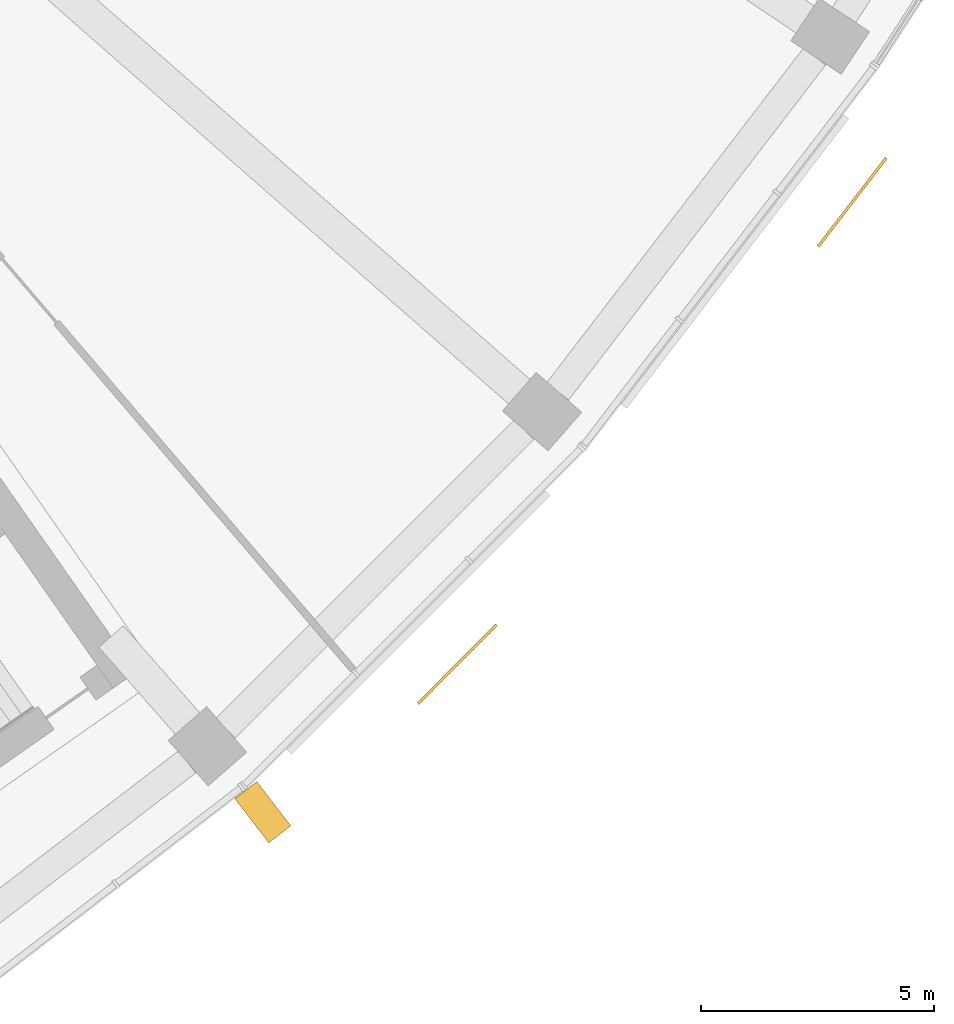
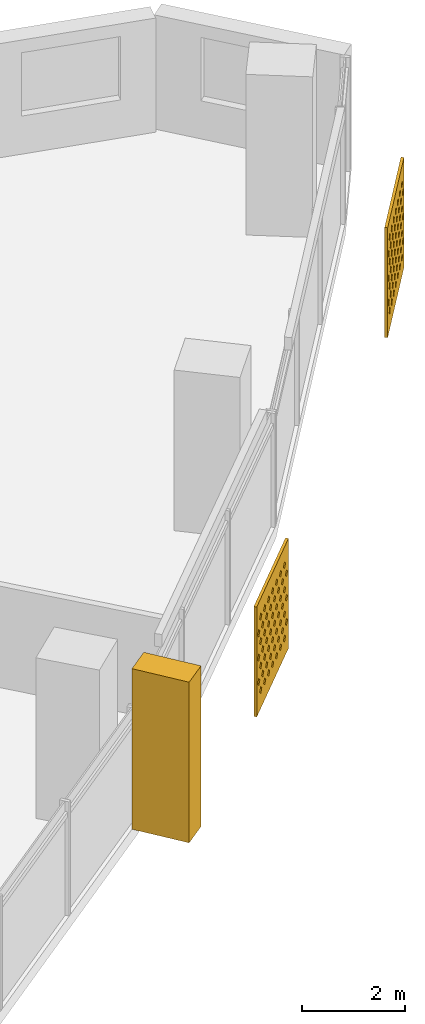
# One storey, part 26 of 26: 3 shading devices.
"""IFC4 building model written with IfcOpenShell, lengths in metres."""

from ifc_helpers import new_model, si_unit, direction, frame, origin, place, context, subcontext, project, spatial, polyline, outline, extrude, material, material_profile, profile_set, type_object, element, save


model = new_model("IFC4")

# Units and contexts
model_context = context("Model", 3, precision=1e-05, world=origin(), true_north=direction((0.0, 1.0)))
body_context = subcontext(model_context, "Body", "Model", "MODEL_VIEW")
ifc_project = project(units=[si_unit("LENGTHUNIT", "METRE"), si_unit("AREAUNIT", "SQUARE_METRE"), si_unit("VOLUMEUNIT", "CUBIC_METRE"), si_unit("PLANEANGLEUNIT", "RADIAN"), si_unit("MASSUNIT", "GRAM", prefix="KILO")], contexts=[model_context])

# Site, building, storey
site_placement = place(None, origin())
site = spatial("IfcSite", under=ifc_project, at=site_placement, CompositionType="ELEMENT")
building_placement = place(site_placement, origin())
building = spatial("IfcBuilding", under=site, at=building_placement, Name="Qamariyya Broadcast Tower", CompositionType="ELEMENT")
storey_placement = place(building_placement, frame((0.0, 0.0, 160.699951171875)))
storey = spatial("IfcBuildingStorey", under=building, at=storey_placement, Name="L37", CompositionType="ELEMENT", Elevation=160.699951171875)

# Shading devices
ifc_material_1 = material(Name="Steel S355 powder coated deep red", Category="steel")
shading_device_type_1 = type_object("IfcShadingDeviceType", Name="Deep red frame, powder coated steel box section", PredefinedType="USERDEFINED", material=ifc_material_1)
shading_device_1_placement = place(storey_placement, origin())
element("IfcShadingDevice", 1, at=shading_device_1_placement, inside=storey, type_object=shading_device_type_1, Name="e-frm-B3-F4-postb-L37", ObjectType="FRAME", PredefinedType="USERDEFINED", context=body_context, shape_type="SweptSolid", body=[
    extrude(outline(polyline([(51.850341796875, -59.577880859375), (52.580810546875, -60.530029296875), (53.056884765625, -60.164794921875), (52.326416015625, -59.212646484375), (51.850341796875, -59.577880859375)])), origin(), (0.0, 0.0, 1.0), 3.800048828125),
])
ifc_material_2 = material(Name="Perforated glazed terracotta", Category="masonry")
ifc_material_profile = material_profile(ifc_material_2, outline(polyline([(-1.199951171875, -1.300048828125), (1.199951171875, -1.300048828125), (1.199951171875, 1.300048828125), (-1.199951171875, 1.300048828125), (-1.199951171875, -1.300048828125)]), holes=[polyline([(-0.81494140625, -0.86669921875), (-0.89990234375, -0.78173828125), (-0.985107421875, -0.86669921875), (-0.89990234375, -0.95166015625), (-0.81494140625, -0.86669921875)]), polyline([(-0.514892578125, -0.86669921875), (-0.60009765625, -0.78173828125), (-0.68505859375, -0.86669921875), (-0.60009765625, -0.95166015625), (-0.514892578125, -0.86669921875)]), polyline([(-0.215087890625, -0.86669921875), (-0.300048828125, -0.78173828125), (-0.385009765625, -0.86669921875), (-0.300048828125, -0.95166015625), (-0.215087890625, -0.86669921875)]), polyline([(0.0849609375, -0.86669921875), (0.0, -0.78173828125), (-0.0849609375, -0.86669921875), (0.0, -0.95166015625), (0.0849609375, -0.86669921875)]), polyline([(0.385009765625, -0.86669921875), (0.300048828125, -0.78173828125), (0.215087890625, -0.86669921875), (0.300048828125, -0.95166015625), (0.385009765625, -0.86669921875)]), polyline([(0.68505859375, -0.86669921875), (0.60009765625, -0.78173828125), (0.514892578125, -0.86669921875), (0.60009765625, -0.95166015625), (0.68505859375, -0.86669921875)]), polyline([(0.985107421875, -0.86669921875), (0.89990234375, -0.78173828125), (0.81494140625, -0.86669921875), (0.89990234375, -0.95166015625), (0.985107421875, -0.86669921875)]), polyline([(-0.965087890625, -0.577880859375), (-1.050048828125, -0.49267578125), (-1.135009765625, -0.577880859375), (-1.050048828125, -0.662841796875), (-0.965087890625, -0.577880859375)]), polyline([(-0.6650390625, -0.577880859375), (-0.75, -0.49267578125), (-0.8349609375, -0.577880859375), (-0.75, -0.662841796875), (-0.6650390625, -0.577880859375)]), polyline([(-0.364990234375, -0.577880859375), (-0.449951171875, -0.49267578125), (-0.534912109375, -0.577880859375), (-0.449951171875, -0.662841796875), (-0.364990234375, -0.577880859375)]), polyline([(-0.06494140625, -0.577880859375), (-0.14990234375, -0.49267578125), (-0.235107421875, -0.577880859375), (-0.14990234375, -0.662841796875), (-0.06494140625, -0.577880859375)]), polyline([(0.235107421875, -0.577880859375), (0.14990234375, -0.49267578125), (0.06494140625, -0.577880859375), (0.14990234375, -0.662841796875), (0.235107421875, -0.577880859375)]), polyline([(0.534912109375, -0.577880859375), (0.449951171875, -0.49267578125), (0.364990234375, -0.577880859375), (0.449951171875, -0.662841796875), (0.534912109375, -0.577880859375)]), polyline([(0.8349609375, -0.577880859375), (0.75, -0.49267578125), (0.6650390625, -0.577880859375), (0.75, -0.662841796875), (0.8349609375, -0.577880859375)]), polyline([(1.135009765625, -0.577880859375), (1.050048828125, -0.49267578125), (0.965087890625, -0.577880859375), (1.050048828125, -0.662841796875), (1.135009765625, -0.577880859375)]), polyline([(-0.81494140625, -0.288818359375), (-0.89990234375, -0.203857421875), (-0.985107421875, -0.288818359375), (-0.89990234375, -0.373779296875), (-0.81494140625, -0.288818359375)]), polyline([(-0.514892578125, -0.288818359375), (-0.60009765625, -0.203857421875), (-0.68505859375, -0.288818359375), (-0.60009765625, -0.373779296875), (-0.514892578125, -0.288818359375)]), polyline([(-0.215087890625, -0.288818359375), (-0.300048828125, -0.203857421875), (-0.385009765625, -0.288818359375), (-0.300048828125, -0.373779296875), (-0.215087890625, -0.288818359375)]), polyline([(0.0849609375, -0.288818359375), (0.0, -0.203857421875), (-0.0849609375, -0.288818359375), (0.0, -0.373779296875), (0.0849609375, -0.288818359375)]), polyline([(0.385009765625, -0.288818359375), (0.300048828125, -0.203857421875), (0.215087890625, -0.288818359375), (0.300048828125, -0.373779296875), (0.385009765625, -0.288818359375)]), polyline([(0.68505859375, -0.288818359375), (0.60009765625, -0.203857421875), (0.514892578125, -0.288818359375), (0.60009765625, -0.373779296875), (0.68505859375, -0.288818359375)]), polyline([(0.985107421875, -0.288818359375), (0.89990234375, -0.203857421875), (0.81494140625, -0.288818359375), (0.89990234375, -0.373779296875), (0.985107421875, -0.288818359375)]), polyline([(-0.965087890625, 0.0), (-1.050048828125, 0.0849609375), (-1.135009765625, 0.0), (-1.050048828125, -0.0849609375), (-0.965087890625, 0.0)]), polyline([(-0.6650390625, 0.0), (-0.75, 0.0849609375), (-0.8349609375, 0.0), (-0.75, -0.0849609375), (-0.6650390625, 0.0)]), polyline([(-0.364990234375, 0.0), (-0.449951171875, 0.0849609375), (-0.534912109375, 0.0), (-0.449951171875, -0.0849609375), (-0.364990234375, 0.0)]), polyline([(-0.06494140625, 0.0), (-0.14990234375, 0.0849609375), (-0.235107421875, 0.0), (-0.14990234375, -0.0849609375), (-0.06494140625, 0.0)]), polyline([(0.235107421875, 0.0), (0.14990234375, 0.0849609375), (0.06494140625, 0.0), (0.14990234375, -0.0849609375), (0.235107421875, 0.0)]), polyline([(0.534912109375, 0.0), (0.449951171875, 0.0849609375), (0.364990234375, 0.0), (0.449951171875, -0.0849609375), (0.534912109375, 0.0)]), polyline([(0.8349609375, 0.0), (0.75, 0.0849609375), (0.6650390625, 0.0), (0.75, -0.0849609375), (0.8349609375, 0.0)]), polyline([(1.135009765625, 0.0), (1.050048828125, 0.0849609375), (0.965087890625, 0.0), (1.050048828125, -0.0849609375), (1.135009765625, 0.0)]), polyline([(-0.81494140625, 0.288818359375), (-0.89990234375, 0.373779296875), (-0.985107421875, 0.288818359375), (-0.89990234375, 0.203857421875), (-0.81494140625, 0.288818359375)]), polyline([(-0.514892578125, 0.288818359375), (-0.60009765625, 0.373779296875), (-0.68505859375, 0.288818359375), (-0.60009765625, 0.203857421875), (-0.514892578125, 0.288818359375)]), polyline([(-0.215087890625, 0.288818359375), (-0.300048828125, 0.373779296875), (-0.385009765625, 0.288818359375), (-0.300048828125, 0.203857421875), (-0.215087890625, 0.288818359375)]), polyline([(0.0849609375, 0.288818359375), (0.0, 0.373779296875), (-0.0849609375, 0.288818359375), (0.0, 0.203857421875), (0.0849609375, 0.288818359375)]), polyline([(0.385009765625, 0.288818359375), (0.300048828125, 0.373779296875), (0.215087890625, 0.288818359375), (0.300048828125, 0.203857421875), (0.385009765625, 0.288818359375)]), polyline([(0.68505859375, 0.288818359375), (0.60009765625, 0.373779296875), (0.514892578125, 0.288818359375), (0.60009765625, 0.203857421875), (0.68505859375, 0.288818359375)]), polyline([(0.985107421875, 0.288818359375), (0.89990234375, 0.373779296875), (0.81494140625, 0.288818359375), (0.89990234375, 0.203857421875), (0.985107421875, 0.288818359375)]), polyline([(-0.965087890625, 0.577880859375), (-1.050048828125, 0.662841796875), (-1.135009765625, 0.577880859375), (-1.050048828125, 0.49267578125), (-0.965087890625, 0.577880859375)]), polyline([(-0.6650390625, 0.577880859375), (-0.75, 0.662841796875), (-0.8349609375, 0.577880859375), (-0.75, 0.49267578125), (-0.6650390625, 0.577880859375)]), polyline([(-0.364990234375, 0.577880859375), (-0.449951171875, 0.662841796875), (-0.534912109375, 0.577880859375), (-0.449951171875, 0.49267578125), (-0.364990234375, 0.577880859375)]), polyline([(-0.06494140625, 0.577880859375), (-0.14990234375, 0.662841796875), (-0.235107421875, 0.577880859375), (-0.14990234375, 0.49267578125), (-0.06494140625, 0.577880859375)]), polyline([(0.235107421875, 0.577880859375), (0.14990234375, 0.662841796875), (0.06494140625, 0.577880859375), (0.14990234375, 0.49267578125), (0.235107421875, 0.577880859375)]), polyline([(0.534912109375, 0.577880859375), (0.449951171875, 0.662841796875), (0.364990234375, 0.577880859375), (0.449951171875, 0.49267578125), (0.534912109375, 0.577880859375)]), polyline([(0.8349609375, 0.577880859375), (0.75, 0.662841796875), (0.6650390625, 0.577880859375), (0.75, 0.49267578125), (0.8349609375, 0.577880859375)]), polyline([(1.135009765625, 0.577880859375), (1.050048828125, 0.662841796875), (0.965087890625, 0.577880859375), (1.050048828125, 0.49267578125), (1.135009765625, 0.577880859375)]), polyline([(-0.81494140625, 0.86669921875), (-0.89990234375, 0.95166015625), (-0.985107421875, 0.86669921875), (-0.89990234375, 0.78173828125), (-0.81494140625, 0.86669921875)]), polyline([(-0.514892578125, 0.86669921875), (-0.60009765625, 0.95166015625), (-0.68505859375, 0.86669921875), (-0.60009765625, 0.78173828125), (-0.514892578125, 0.86669921875)]), polyline([(-0.215087890625, 0.86669921875), (-0.300048828125, 0.95166015625), (-0.385009765625, 0.86669921875), (-0.300048828125, 0.78173828125), (-0.215087890625, 0.86669921875)]), polyline([(0.0849609375, 0.86669921875), (0.0, 0.95166015625), (-0.0849609375, 0.86669921875), (0.0, 0.78173828125), (0.0849609375, 0.86669921875)]), polyline([(0.385009765625, 0.86669921875), (0.300048828125, 0.95166015625), (0.215087890625, 0.86669921875), (0.300048828125, 0.78173828125), (0.385009765625, 0.86669921875)]), polyline([(0.68505859375, 0.86669921875), (0.60009765625, 0.95166015625), (0.514892578125, 0.86669921875), (0.60009765625, 0.78173828125), (0.68505859375, 0.86669921875)]), polyline([(0.985107421875, 0.86669921875), (0.89990234375, 0.95166015625), (0.81494140625, 0.86669921875), (0.89990234375, 0.78173828125), (0.985107421875, 0.86669921875)])]))
ifc_profile_set = profile_set([ifc_material_profile], Name="Perforated glazed terracotta")
shading_device_type_2 = type_object("IfcShadingDeviceType", Name="Perforated terracotta screen 2400 x 2600", PredefinedType="USERDEFINED", material=ifc_profile_set)
shading_device_2_placement = place(storey_placement, frame((56.6103515625, -56.66943359375, 1.35009765625), z_axis=(0.709141608176, -0.705066081692, 0.0), x_axis=(0.705066081692, 0.709141608176, 0.0)))
element("IfcShadingDevice", 2, at=shading_device_2_placement, inside=storey, type_object=shading_device_type_2, Name="e-scr-L37-13-1", ObjectType="SCREEN", PredefinedType="USERDEFINED", context=body_context, shape_type="SweptSolid", body=[
    extrude(outline(polyline([(-1.199951171875, -1.300048828125), (1.199951171875, -1.300048828125), (1.199951171875, 1.300048828125), (-1.199951171875, 1.300048828125), (-1.199951171875, -1.300048828125)]), holes=[polyline([(-0.81494140625, -0.86669921875), (-0.89990234375, -0.78173828125), (-0.985107421875, -0.86669921875), (-0.89990234375, -0.95166015625), (-0.81494140625, -0.86669921875)]), polyline([(-0.514892578125, -0.86669921875), (-0.60009765625, -0.78173828125), (-0.68505859375, -0.86669921875), (-0.60009765625, -0.95166015625), (-0.514892578125, -0.86669921875)]), polyline([(-0.215087890625, -0.86669921875), (-0.300048828125, -0.78173828125), (-0.385009765625, -0.86669921875), (-0.300048828125, -0.95166015625), (-0.215087890625, -0.86669921875)]), polyline([(0.0849609375, -0.86669921875), (0.0, -0.78173828125), (-0.0849609375, -0.86669921875), (0.0, -0.95166015625), (0.0849609375, -0.86669921875)]), polyline([(0.385009765625, -0.86669921875), (0.300048828125, -0.78173828125), (0.215087890625, -0.86669921875), (0.300048828125, -0.95166015625), (0.385009765625, -0.86669921875)]), polyline([(0.68505859375, -0.86669921875), (0.60009765625, -0.78173828125), (0.514892578125, -0.86669921875), (0.60009765625, -0.95166015625), (0.68505859375, -0.86669921875)]), polyline([(0.985107421875, -0.86669921875), (0.89990234375, -0.78173828125), (0.81494140625, -0.86669921875), (0.89990234375, -0.95166015625), (0.985107421875, -0.86669921875)]), polyline([(-0.965087890625, -0.577880859375), (-1.050048828125, -0.49267578125), (-1.135009765625, -0.577880859375), (-1.050048828125, -0.662841796875), (-0.965087890625, -0.577880859375)]), polyline([(-0.6650390625, -0.577880859375), (-0.75, -0.49267578125), (-0.8349609375, -0.577880859375), (-0.75, -0.662841796875), (-0.6650390625, -0.577880859375)]), polyline([(-0.364990234375, -0.577880859375), (-0.449951171875, -0.49267578125), (-0.534912109375, -0.577880859375), (-0.449951171875, -0.662841796875), (-0.364990234375, -0.577880859375)]), polyline([(-0.06494140625, -0.577880859375), (-0.14990234375, -0.49267578125), (-0.235107421875, -0.577880859375), (-0.14990234375, -0.662841796875), (-0.06494140625, -0.577880859375)]), polyline([(0.235107421875, -0.577880859375), (0.14990234375, -0.49267578125), (0.06494140625, -0.577880859375), (0.14990234375, -0.662841796875), (0.235107421875, -0.577880859375)]), polyline([(0.534912109375, -0.577880859375), (0.449951171875, -0.49267578125), (0.364990234375, -0.577880859375), (0.449951171875, -0.662841796875), (0.534912109375, -0.577880859375)]), polyline([(0.8349609375, -0.577880859375), (0.75, -0.49267578125), (0.6650390625, -0.577880859375), (0.75, -0.662841796875), (0.8349609375, -0.577880859375)]), polyline([(1.135009765625, -0.577880859375), (1.050048828125, -0.49267578125), (0.965087890625, -0.577880859375), (1.050048828125, -0.662841796875), (1.135009765625, -0.577880859375)]), polyline([(-0.81494140625, -0.288818359375), (-0.89990234375, -0.203857421875), (-0.985107421875, -0.288818359375), (-0.89990234375, -0.373779296875), (-0.81494140625, -0.288818359375)]), polyline([(-0.514892578125, -0.288818359375), (-0.60009765625, -0.203857421875), (-0.68505859375, -0.288818359375), (-0.60009765625, -0.373779296875), (-0.514892578125, -0.288818359375)]), polyline([(-0.215087890625, -0.288818359375), (-0.300048828125, -0.203857421875), (-0.385009765625, -0.288818359375), (-0.300048828125, -0.373779296875), (-0.215087890625, -0.288818359375)]), polyline([(0.0849609375, -0.288818359375), (0.0, -0.203857421875), (-0.0849609375, -0.288818359375), (0.0, -0.373779296875), (0.0849609375, -0.288818359375)]), polyline([(0.385009765625, -0.288818359375), (0.300048828125, -0.203857421875), (0.215087890625, -0.288818359375), (0.300048828125, -0.373779296875), (0.385009765625, -0.288818359375)]), polyline([(0.68505859375, -0.288818359375), (0.60009765625, -0.203857421875), (0.514892578125, -0.288818359375), (0.60009765625, -0.373779296875), (0.68505859375, -0.288818359375)]), polyline([(0.985107421875, -0.288818359375), (0.89990234375, -0.203857421875), (0.81494140625, -0.288818359375), (0.89990234375, -0.373779296875), (0.985107421875, -0.288818359375)]), polyline([(-0.965087890625, 0.0), (-1.050048828125, 0.0849609375), (-1.135009765625, 0.0), (-1.050048828125, -0.0849609375), (-0.965087890625, 0.0)]), polyline([(-0.6650390625, 0.0), (-0.75, 0.0849609375), (-0.8349609375, 0.0), (-0.75, -0.0849609375), (-0.6650390625, 0.0)]), polyline([(-0.364990234375, 0.0), (-0.449951171875, 0.0849609375), (-0.534912109375, 0.0), (-0.449951171875, -0.0849609375), (-0.364990234375, 0.0)]), polyline([(-0.06494140625, 0.0), (-0.14990234375, 0.0849609375), (-0.235107421875, 0.0), (-0.14990234375, -0.0849609375), (-0.06494140625, 0.0)]), polyline([(0.235107421875, 0.0), (0.14990234375, 0.0849609375), (0.06494140625, 0.0), (0.14990234375, -0.0849609375), (0.235107421875, 0.0)]), polyline([(0.534912109375, 0.0), (0.449951171875, 0.0849609375), (0.364990234375, 0.0), (0.449951171875, -0.0849609375), (0.534912109375, 0.0)]), polyline([(0.8349609375, 0.0), (0.75, 0.0849609375), (0.6650390625, 0.0), (0.75, -0.0849609375), (0.8349609375, 0.0)]), polyline([(1.135009765625, 0.0), (1.050048828125, 0.0849609375), (0.965087890625, 0.0), (1.050048828125, -0.0849609375), (1.135009765625, 0.0)]), polyline([(-0.81494140625, 0.288818359375), (-0.89990234375, 0.373779296875), (-0.985107421875, 0.288818359375), (-0.89990234375, 0.203857421875), (-0.81494140625, 0.288818359375)]), polyline([(-0.514892578125, 0.288818359375), (-0.60009765625, 0.373779296875), (-0.68505859375, 0.288818359375), (-0.60009765625, 0.203857421875), (-0.514892578125, 0.288818359375)]), polyline([(-0.215087890625, 0.288818359375), (-0.300048828125, 0.373779296875), (-0.385009765625, 0.288818359375), (-0.300048828125, 0.203857421875), (-0.215087890625, 0.288818359375)]), polyline([(0.0849609375, 0.288818359375), (0.0, 0.373779296875), (-0.0849609375, 0.288818359375), (0.0, 0.203857421875), (0.0849609375, 0.288818359375)]), polyline([(0.385009765625, 0.288818359375), (0.300048828125, 0.373779296875), (0.215087890625, 0.288818359375), (0.300048828125, 0.203857421875), (0.385009765625, 0.288818359375)]), polyline([(0.68505859375, 0.288818359375), (0.60009765625, 0.373779296875), (0.514892578125, 0.288818359375), (0.60009765625, 0.203857421875), (0.68505859375, 0.288818359375)]), polyline([(0.985107421875, 0.288818359375), (0.89990234375, 0.373779296875), (0.81494140625, 0.288818359375), (0.89990234375, 0.203857421875), (0.985107421875, 0.288818359375)]), polyline([(-0.965087890625, 0.577880859375), (-1.050048828125, 0.662841796875), (-1.135009765625, 0.577880859375), (-1.050048828125, 0.49267578125), (-0.965087890625, 0.577880859375)]), polyline([(-0.6650390625, 0.577880859375), (-0.75, 0.662841796875), (-0.8349609375, 0.577880859375), (-0.75, 0.49267578125), (-0.6650390625, 0.577880859375)]), polyline([(-0.364990234375, 0.577880859375), (-0.449951171875, 0.662841796875), (-0.534912109375, 0.577880859375), (-0.449951171875, 0.49267578125), (-0.364990234375, 0.577880859375)]), polyline([(-0.06494140625, 0.577880859375), (-0.14990234375, 0.662841796875), (-0.235107421875, 0.577880859375), (-0.14990234375, 0.49267578125), (-0.06494140625, 0.577880859375)]), polyline([(0.235107421875, 0.577880859375), (0.14990234375, 0.662841796875), (0.06494140625, 0.577880859375), (0.14990234375, 0.49267578125), (0.235107421875, 0.577880859375)]), polyline([(0.534912109375, 0.577880859375), (0.449951171875, 0.662841796875), (0.364990234375, 0.577880859375), (0.449951171875, 0.49267578125), (0.534912109375, 0.577880859375)]), polyline([(0.8349609375, 0.577880859375), (0.75, 0.662841796875), (0.6650390625, 0.577880859375), (0.75, 0.49267578125), (0.8349609375, 0.577880859375)]), polyline([(1.135009765625, 0.577880859375), (1.050048828125, 0.662841796875), (0.965087890625, 0.577880859375), (1.050048828125, 0.49267578125), (1.135009765625, 0.577880859375)]), polyline([(-0.81494140625, 0.86669921875), (-0.89990234375, 0.95166015625), (-0.985107421875, 0.86669921875), (-0.89990234375, 0.78173828125), (-0.81494140625, 0.86669921875)]), polyline([(-0.514892578125, 0.86669921875), (-0.60009765625, 0.95166015625), (-0.68505859375, 0.86669921875), (-0.60009765625, 0.78173828125), (-0.514892578125, 0.86669921875)]), polyline([(-0.215087890625, 0.86669921875), (-0.300048828125, 0.95166015625), (-0.385009765625, 0.86669921875), (-0.300048828125, 0.78173828125), (-0.215087890625, 0.86669921875)]), polyline([(0.0849609375, 0.86669921875), (0.0, 0.95166015625), (-0.0849609375, 0.86669921875), (0.0, 0.78173828125), (0.0849609375, 0.86669921875)]), polyline([(0.385009765625, 0.86669921875), (0.300048828125, 0.95166015625), (0.215087890625, 0.86669921875), (0.300048828125, 0.78173828125), (0.385009765625, 0.86669921875)]), polyline([(0.68505859375, 0.86669921875), (0.60009765625, 0.95166015625), (0.514892578125, 0.86669921875), (0.60009765625, 0.78173828125), (0.68505859375, 0.86669921875)]), polyline([(0.985107421875, 0.86669921875), (0.89990234375, 0.95166015625), (0.81494140625, 0.86669921875), (0.89990234375, 0.78173828125), (0.985107421875, 0.86669921875)])]), origin(), (0.0, 0.0, 1.0), 0.059814453125),
])
shading_device_3_placement = place(storey_placement, frame((65.095458984375, -46.745849609375, 1.35009765625), z_axis=(0.792623989105, -0.60971076085, 0.0), x_axis=(0.60971076085, 0.792623989105, 0.0)))
element("IfcShadingDevice", 3, at=shading_device_3_placement, inside=storey, type_object=shading_device_type_2, Name="e-scr-L37-14-2", ObjectType="SCREEN", PredefinedType="USERDEFINED", context=body_context, shape_type="SweptSolid", body=[
    extrude(outline(polyline([(-1.199951171875, -1.300048828125), (1.199951171875, -1.300048828125), (1.199951171875, 1.300048828125), (-1.199951171875, 1.300048828125), (-1.199951171875, -1.300048828125)]), holes=[polyline([(-0.81494140625, -0.86669921875), (-0.89990234375, -0.78173828125), (-0.985107421875, -0.86669921875), (-0.89990234375, -0.95166015625), (-0.81494140625, -0.86669921875)]), polyline([(-0.514892578125, -0.86669921875), (-0.60009765625, -0.78173828125), (-0.68505859375, -0.86669921875), (-0.60009765625, -0.95166015625), (-0.514892578125, -0.86669921875)]), polyline([(-0.215087890625, -0.86669921875), (-0.300048828125, -0.78173828125), (-0.385009765625, -0.86669921875), (-0.300048828125, -0.95166015625), (-0.215087890625, -0.86669921875)]), polyline([(0.0849609375, -0.86669921875), (0.0, -0.78173828125), (-0.0849609375, -0.86669921875), (0.0, -0.95166015625), (0.0849609375, -0.86669921875)]), polyline([(0.385009765625, -0.86669921875), (0.300048828125, -0.78173828125), (0.215087890625, -0.86669921875), (0.300048828125, -0.95166015625), (0.385009765625, -0.86669921875)]), polyline([(0.68505859375, -0.86669921875), (0.60009765625, -0.78173828125), (0.514892578125, -0.86669921875), (0.60009765625, -0.95166015625), (0.68505859375, -0.86669921875)]), polyline([(0.985107421875, -0.86669921875), (0.89990234375, -0.78173828125), (0.81494140625, -0.86669921875), (0.89990234375, -0.95166015625), (0.985107421875, -0.86669921875)]), polyline([(-0.965087890625, -0.577880859375), (-1.050048828125, -0.49267578125), (-1.135009765625, -0.577880859375), (-1.050048828125, -0.662841796875), (-0.965087890625, -0.577880859375)]), polyline([(-0.6650390625, -0.577880859375), (-0.75, -0.49267578125), (-0.8349609375, -0.577880859375), (-0.75, -0.662841796875), (-0.6650390625, -0.577880859375)]), polyline([(-0.364990234375, -0.577880859375), (-0.449951171875, -0.49267578125), (-0.534912109375, -0.577880859375), (-0.449951171875, -0.662841796875), (-0.364990234375, -0.577880859375)]), polyline([(-0.06494140625, -0.577880859375), (-0.14990234375, -0.49267578125), (-0.235107421875, -0.577880859375), (-0.14990234375, -0.662841796875), (-0.06494140625, -0.577880859375)]), polyline([(0.235107421875, -0.577880859375), (0.14990234375, -0.49267578125), (0.06494140625, -0.577880859375), (0.14990234375, -0.662841796875), (0.235107421875, -0.577880859375)]), polyline([(0.534912109375, -0.577880859375), (0.449951171875, -0.49267578125), (0.364990234375, -0.577880859375), (0.449951171875, -0.662841796875), (0.534912109375, -0.577880859375)]), polyline([(0.8349609375, -0.577880859375), (0.75, -0.49267578125), (0.6650390625, -0.577880859375), (0.75, -0.662841796875), (0.8349609375, -0.577880859375)]), polyline([(1.135009765625, -0.577880859375), (1.050048828125, -0.49267578125), (0.965087890625, -0.577880859375), (1.050048828125, -0.662841796875), (1.135009765625, -0.577880859375)]), polyline([(-0.81494140625, -0.288818359375), (-0.89990234375, -0.203857421875), (-0.985107421875, -0.288818359375), (-0.89990234375, -0.373779296875), (-0.81494140625, -0.288818359375)]), polyline([(-0.514892578125, -0.288818359375), (-0.60009765625, -0.203857421875), (-0.68505859375, -0.288818359375), (-0.60009765625, -0.373779296875), (-0.514892578125, -0.288818359375)]), polyline([(-0.215087890625, -0.288818359375), (-0.300048828125, -0.203857421875), (-0.385009765625, -0.288818359375), (-0.300048828125, -0.373779296875), (-0.215087890625, -0.288818359375)]), polyline([(0.0849609375, -0.288818359375), (0.0, -0.203857421875), (-0.0849609375, -0.288818359375), (0.0, -0.373779296875), (0.0849609375, -0.288818359375)]), polyline([(0.385009765625, -0.288818359375), (0.300048828125, -0.203857421875), (0.215087890625, -0.288818359375), (0.300048828125, -0.373779296875), (0.385009765625, -0.288818359375)]), polyline([(0.68505859375, -0.288818359375), (0.60009765625, -0.203857421875), (0.514892578125, -0.288818359375), (0.60009765625, -0.373779296875), (0.68505859375, -0.288818359375)]), polyline([(0.985107421875, -0.288818359375), (0.89990234375, -0.203857421875), (0.81494140625, -0.288818359375), (0.89990234375, -0.373779296875), (0.985107421875, -0.288818359375)]), polyline([(-0.965087890625, 0.0), (-1.050048828125, 0.0849609375), (-1.135009765625, 0.0), (-1.050048828125, -0.0849609375), (-0.965087890625, 0.0)]), polyline([(-0.6650390625, 0.0), (-0.75, 0.0849609375), (-0.8349609375, 0.0), (-0.75, -0.0849609375), (-0.6650390625, 0.0)]), polyline([(-0.364990234375, 0.0), (-0.449951171875, 0.0849609375), (-0.534912109375, 0.0), (-0.449951171875, -0.0849609375), (-0.364990234375, 0.0)]), polyline([(-0.06494140625, 0.0), (-0.14990234375, 0.0849609375), (-0.235107421875, 0.0), (-0.14990234375, -0.0849609375), (-0.06494140625, 0.0)]), polyline([(0.235107421875, 0.0), (0.14990234375, 0.0849609375), (0.06494140625, 0.0), (0.14990234375, -0.0849609375), (0.235107421875, 0.0)]), polyline([(0.534912109375, 0.0), (0.449951171875, 0.0849609375), (0.364990234375, 0.0), (0.449951171875, -0.0849609375), (0.534912109375, 0.0)]), polyline([(0.8349609375, 0.0), (0.75, 0.0849609375), (0.6650390625, 0.0), (0.75, -0.0849609375), (0.8349609375, 0.0)]), polyline([(1.135009765625, 0.0), (1.050048828125, 0.0849609375), (0.965087890625, 0.0), (1.050048828125, -0.0849609375), (1.135009765625, 0.0)]), polyline([(-0.81494140625, 0.288818359375), (-0.89990234375, 0.373779296875), (-0.985107421875, 0.288818359375), (-0.89990234375, 0.203857421875), (-0.81494140625, 0.288818359375)]), polyline([(-0.514892578125, 0.288818359375), (-0.60009765625, 0.373779296875), (-0.68505859375, 0.288818359375), (-0.60009765625, 0.203857421875), (-0.514892578125, 0.288818359375)]), polyline([(-0.215087890625, 0.288818359375), (-0.300048828125, 0.373779296875), (-0.385009765625, 0.288818359375), (-0.300048828125, 0.203857421875), (-0.215087890625, 0.288818359375)]), polyline([(0.0849609375, 0.288818359375), (0.0, 0.373779296875), (-0.0849609375, 0.288818359375), (0.0, 0.203857421875), (0.0849609375, 0.288818359375)]), polyline([(0.385009765625, 0.288818359375), (0.300048828125, 0.373779296875), (0.215087890625, 0.288818359375), (0.300048828125, 0.203857421875), (0.385009765625, 0.288818359375)]), polyline([(0.68505859375, 0.288818359375), (0.60009765625, 0.373779296875), (0.514892578125, 0.288818359375), (0.60009765625, 0.203857421875), (0.68505859375, 0.288818359375)]), polyline([(0.985107421875, 0.288818359375), (0.89990234375, 0.373779296875), (0.81494140625, 0.288818359375), (0.89990234375, 0.203857421875), (0.985107421875, 0.288818359375)]), polyline([(-0.965087890625, 0.577880859375), (-1.050048828125, 0.662841796875), (-1.135009765625, 0.577880859375), (-1.050048828125, 0.49267578125), (-0.965087890625, 0.577880859375)]), polyline([(-0.6650390625, 0.577880859375), (-0.75, 0.662841796875), (-0.8349609375, 0.577880859375), (-0.75, 0.49267578125), (-0.6650390625, 0.577880859375)]), polyline([(-0.364990234375, 0.577880859375), (-0.449951171875, 0.662841796875), (-0.534912109375, 0.577880859375), (-0.449951171875, 0.49267578125), (-0.364990234375, 0.577880859375)]), polyline([(-0.06494140625, 0.577880859375), (-0.14990234375, 0.662841796875), (-0.235107421875, 0.577880859375), (-0.14990234375, 0.49267578125), (-0.06494140625, 0.577880859375)]), polyline([(0.235107421875, 0.577880859375), (0.14990234375, 0.662841796875), (0.06494140625, 0.577880859375), (0.14990234375, 0.49267578125), (0.235107421875, 0.577880859375)]), polyline([(0.534912109375, 0.577880859375), (0.449951171875, 0.662841796875), (0.364990234375, 0.577880859375), (0.449951171875, 0.49267578125), (0.534912109375, 0.577880859375)]), polyline([(0.8349609375, 0.577880859375), (0.75, 0.662841796875), (0.6650390625, 0.577880859375), (0.75, 0.49267578125), (0.8349609375, 0.577880859375)]), polyline([(1.135009765625, 0.577880859375), (1.050048828125, 0.662841796875), (0.965087890625, 0.577880859375), (1.050048828125, 0.49267578125), (1.135009765625, 0.577880859375)]), polyline([(-0.81494140625, 0.86669921875), (-0.89990234375, 0.95166015625), (-0.985107421875, 0.86669921875), (-0.89990234375, 0.78173828125), (-0.81494140625, 0.86669921875)]), polyline([(-0.514892578125, 0.86669921875), (-0.60009765625, 0.95166015625), (-0.68505859375, 0.86669921875), (-0.60009765625, 0.78173828125), (-0.514892578125, 0.86669921875)]), polyline([(-0.215087890625, 0.86669921875), (-0.300048828125, 0.95166015625), (-0.385009765625, 0.86669921875), (-0.300048828125, 0.78173828125), (-0.215087890625, 0.86669921875)]), polyline([(0.0849609375, 0.86669921875), (0.0, 0.95166015625), (-0.0849609375, 0.86669921875), (0.0, 0.78173828125), (0.0849609375, 0.86669921875)]), polyline([(0.385009765625, 0.86669921875), (0.300048828125, 0.95166015625), (0.215087890625, 0.86669921875), (0.300048828125, 0.78173828125), (0.385009765625, 0.86669921875)]), polyline([(0.68505859375, 0.86669921875), (0.60009765625, 0.95166015625), (0.514892578125, 0.86669921875), (0.60009765625, 0.78173828125), (0.68505859375, 0.86669921875)]), polyline([(0.985107421875, 0.86669921875), (0.89990234375, 0.95166015625), (0.81494140625, 0.86669921875), (0.89990234375, 0.78173828125), (0.985107421875, 0.86669921875)])]), origin(), (0.0, 0.0, 1.0), 0.06005859375),
])

save(model, "model.ifc")
